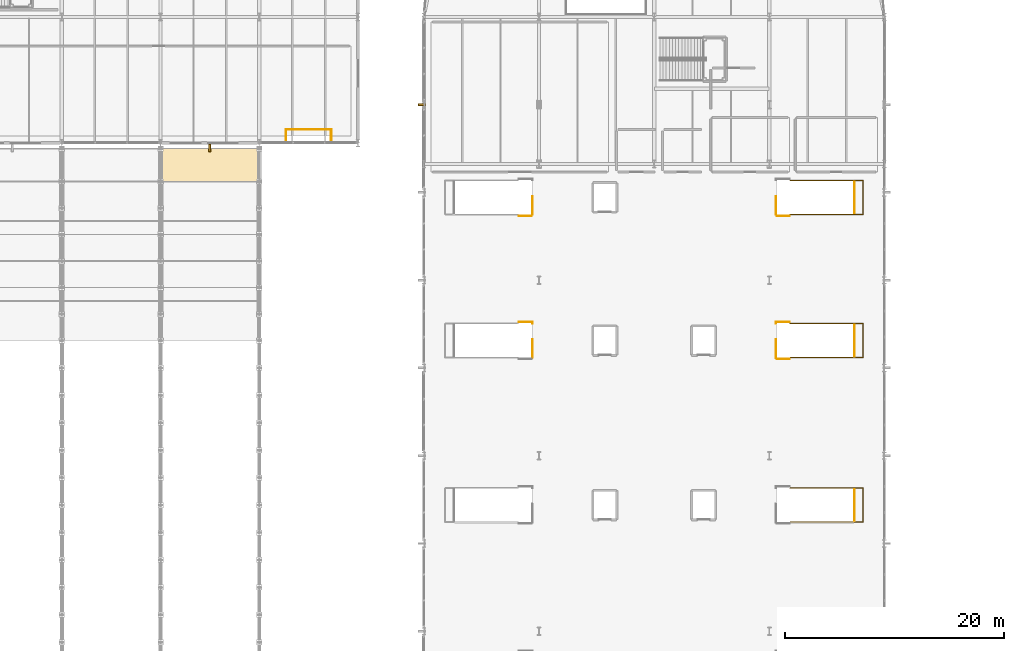
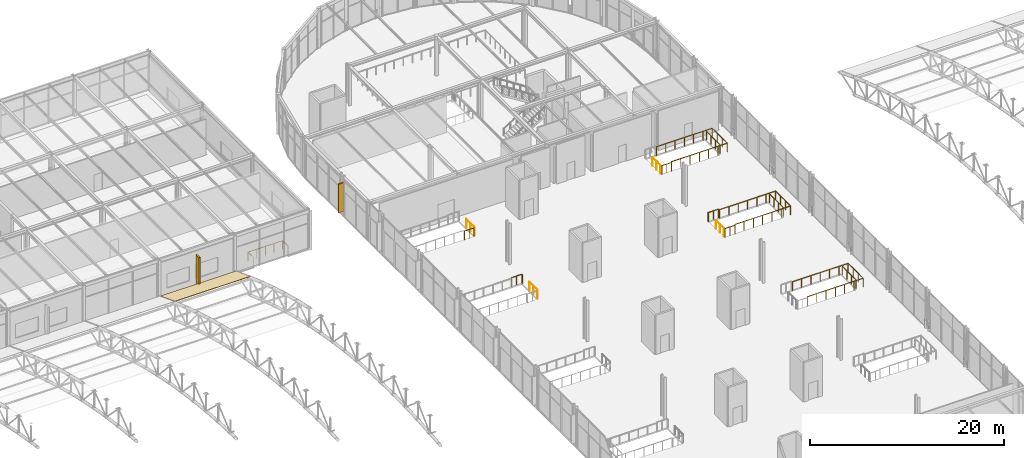
# One storey, part 179 of 195: 16 railings, 2 shading devices, 1 covering.
"""IFC4 building model written with IfcOpenShell, lengths in metres."""

from ifc_helpers import new_model, si_unit, direction, frame, origin, origin_2d, place, context, subcontext, project, spatial, polyline, rectangle, circle, outline, extrude, material, layer, layer_set, type_object, element, save


model = new_model("IFC4")

# Units and contexts
model_context = context("Model", 3, precision=1e-05, world=origin(), true_north=direction((0.0, 1.0)))
body_context = subcontext(model_context, "Body", "Model", "MODEL_VIEW")
ifc_project = project(units=[si_unit("LENGTHUNIT", "METRE"), si_unit("AREAUNIT", "SQUARE_METRE"), si_unit("VOLUMEUNIT", "CUBIC_METRE"), si_unit("PLANEANGLEUNIT", "RADIAN"), si_unit("MASSUNIT", "GRAM", prefix="KILO")], contexts=[model_context])

# Site, building, storey
site_placement = place(None, origin())
site = spatial("IfcSite", under=ifc_project, at=site_placement, CompositionType="ELEMENT")
building_placement = place(site_placement, origin())
building = spatial("IfcBuilding", under=site, at=building_placement, Name="Marlcrest Central Station", CompositionType="ELEMENT")
storey_placement = place(building_placement, frame((0.0, 0.0, 9.800048828125)))
storey = spatial("IfcBuildingStorey", under=building, at=storey_placement, Name="L02", CompositionType="ELEMENT", Elevation=9.800048828125)

# Covering
ifc_material_1 = material(Name="Standing-seam marine-coated aluminium roofing", Category="aluminium")
ifc_layer = layer(ifc_material_1, 0.06494140625, Name="CV-RF2")
ifc_layer_set = layer_set([ifc_layer], Name="Standing-seam marine-coated aluminium roofing")
covering_type = type_object("IfcCoveringType", Name="CV-RF2", PredefinedType="ROOFING", material=ifc_layer_set)
covering_placement = place(storey_placement, frame((63.0, 95.5, 1.800048828125), z_axis=(0.0, 0.359101225901, 0.933298617569), x_axis=(1.0, 0.0, 0.0)))
element("IfcCovering", 1, at=covering_placement, inside=storey, type_object=covering_type, Name="cov-shed-0116", PredefinedType="ROOFING", context=body_context, shape_type="SweptSolid", body=[
    extrude(outline(polyline([(0.0, 0.0), (9.0, 0.0), (9.0, 3.2144052755735024), (0.0, 3.2144052755735024), (0.0, 0.0)])), origin(), (0.0, 0.0, -1.0), 0.06494140625),
])

# Railings
ifc_material_2 = material(Name="Stainless steel and laminated glass concourse balustrade", Category="steel")
railing_type = type_object("IfcRailingType", Name="GR-02", PredefinedType="BALUSTRADE", material=ifc_material_2)
railing_1_placement = place(storey_placement, frame((120.39990234375, 64.449951171875, 0.0)))
element("IfcRailing", 2, at=railing_1_placement, inside=storey, type_object=railing_type, Name="grd-L02-0013", PredefinedType="BALUSTRADE", context=body_context, shape_type="SweptSolid", body=[
    extrude(circle(Radius=0.02392578125, at=origin_2d()), frame((0.0, 0.0, 1.09619140625), z_axis=(1.0, 0.0, 0.0), x_axis=(0.0, 1.0, 0.0)), (0.0, 0.0, 1.0), 6.650146484375),
    extrude(circle(Radius=0.02392578125, at=origin_2d()), frame((6.650146484375, 0.0, 1.09619140625), z_axis=(0.0, 1.0, 0.0), x_axis=(-1.0, 0.0, 0.0)), (0.0, 0.0, 1.0), 3.10009765625),
    extrude(circle(Radius=0.02392578125, at=origin_2d()), frame((6.650146484375, 3.10009765625, 1.09619140625), z_axis=(-1.0, 0.0, 0.0), x_axis=(0.0, -1.0, 0.0)), (0.0, 0.0, 1.0), 6.650146484375),
    extrude(circle(Radius=0.02099609375, at=origin_2d()), origin(), (0.0, 0.0, 1.0), 1.072021484375),
    extrude(circle(Radius=0.02099609375, at=origin_2d()), frame((1.1083984375, 0.0, 0.0)), (0.0, 0.0, 1.0), 1.072021484375),
    extrude(circle(Radius=0.02099609375, at=origin_2d()), frame((2.216796875, 0.0, 0.0)), (0.0, 0.0, 1.0), 1.072021484375),
    extrude(circle(Radius=0.02099609375, at=origin_2d()), frame((3.3251953125, 0.0, 0.0)), (0.0, 0.0, 1.0), 1.072021484375),
    extrude(circle(Radius=0.02099609375, at=origin_2d()), frame((4.433349609375, 0.0, 0.0)), (0.0, 0.0, 1.0), 1.072021484375),
    extrude(circle(Radius=0.02099609375, at=origin_2d()), frame((5.541748046875, 0.0, 0.0)), (0.0, 0.0, 1.0), 1.072021484375),
    extrude(circle(Radius=0.02099609375, at=origin_2d()), frame((6.650146484375, 0.0, 0.0)), (0.0, 0.0, 1.0), 1.072021484375),
    extrude(circle(Radius=0.02099609375, at=origin_2d()), frame((6.650146484375, 1.033447265625, 0.0)), (0.0, 0.0, 1.0), 1.072021484375),
    extrude(circle(Radius=0.02099609375, at=origin_2d()), frame((6.650146484375, 2.066650390625, 0.0)), (0.0, 0.0, 1.0), 1.072021484375),
    extrude(circle(Radius=0.02099609375, at=origin_2d()), frame((6.650146484375, 3.10009765625, 0.0)), (0.0, 0.0, 1.0), 1.072021484375),
    extrude(circle(Radius=0.02099609375, at=origin_2d()), frame((5.541748046875, 3.10009765625, 0.0)), (0.0, 0.0, 1.0), 1.072021484375),
    extrude(circle(Radius=0.02099609375, at=origin_2d()), frame((4.433349609375, 3.10009765625, 0.0)), (0.0, 0.0, 1.0), 1.072021484375),
    extrude(circle(Radius=0.02099609375, at=origin_2d()), frame((3.3251953125, 3.10009765625, 0.0)), (0.0, 0.0, 1.0), 1.072021484375),
    extrude(circle(Radius=0.02099609375, at=origin_2d()), frame((2.216796875, 3.10009765625, 0.0)), (0.0, 0.0, 1.0), 1.072021484375),
    extrude(circle(Radius=0.02099609375, at=origin_2d()), frame((1.1083984375, 3.10009765625, 0.0)), (0.0, 0.0, 1.0), 1.072021484375),
    extrude(circle(Radius=0.02099609375, at=origin_2d()), frame((0.0, 3.10009765625, 0.0)), (0.0, 0.0, 1.0), 1.072021484375),
])
railing_2_placement = place(storey_placement, frame((120.39990234375, 79.449951171875, 0.0)))
element("IfcRailing", 3, at=railing_2_placement, inside=storey, type_object=railing_type, Name="grd-L02-0015", PredefinedType="BALUSTRADE", context=body_context, shape_type="SweptSolid", body=[
    extrude(circle(Radius=0.02392578125, at=origin_2d()), frame((0.0, 0.0, 1.09619140625), z_axis=(1.0, 0.0, 0.0), x_axis=(0.0, 1.0, 0.0)), (0.0, 0.0, 1.0), 6.650146484375),
    extrude(circle(Radius=0.02392578125, at=origin_2d()), frame((6.650146484375, 0.0, 1.09619140625), z_axis=(0.0, 1.0, 0.0), x_axis=(-1.0, 0.0, 0.0)), (0.0, 0.0, 1.0), 3.10009765625),
    extrude(circle(Radius=0.02392578125, at=origin_2d()), frame((6.650146484375, 3.10009765625, 1.09619140625), z_axis=(-1.0, 0.0, 0.0), x_axis=(0.0, -1.0, 0.0)), (0.0, 0.0, 1.0), 6.650146484375),
    extrude(circle(Radius=0.02099609375, at=origin_2d()), origin(), (0.0, 0.0, 1.0), 1.072021484375),
    extrude(circle(Radius=0.02099609375, at=origin_2d()), frame((1.1083984375, 0.0, 0.0)), (0.0, 0.0, 1.0), 1.072021484375),
    extrude(circle(Radius=0.02099609375, at=origin_2d()), frame((2.216796875, 0.0, 0.0)), (0.0, 0.0, 1.0), 1.072021484375),
    extrude(circle(Radius=0.02099609375, at=origin_2d()), frame((3.3251953125, 0.0, 0.0)), (0.0, 0.0, 1.0), 1.072021484375),
    extrude(circle(Radius=0.02099609375, at=origin_2d()), frame((4.433349609375, 0.0, 0.0)), (0.0, 0.0, 1.0), 1.072021484375),
    extrude(circle(Radius=0.02099609375, at=origin_2d()), frame((5.541748046875, 0.0, 0.0)), (0.0, 0.0, 1.0), 1.072021484375),
    extrude(circle(Radius=0.02099609375, at=origin_2d()), frame((6.650146484375, 0.0, 0.0)), (0.0, 0.0, 1.0), 1.072021484375),
    extrude(circle(Radius=0.02099609375, at=origin_2d()), frame((6.650146484375, 1.033447265625, 0.0)), (0.0, 0.0, 1.0), 1.072021484375),
    extrude(circle(Radius=0.02099609375, at=origin_2d()), frame((6.650146484375, 2.066650390625, 0.0)), (0.0, 0.0, 1.0), 1.072021484375),
    extrude(circle(Radius=0.02099609375, at=origin_2d()), frame((6.650146484375, 3.10009765625, 0.0)), (0.0, 0.0, 1.0), 1.072021484375),
    extrude(circle(Radius=0.02099609375, at=origin_2d()), frame((5.541748046875, 3.10009765625, 0.0)), (0.0, 0.0, 1.0), 1.072021484375),
    extrude(circle(Radius=0.02099609375, at=origin_2d()), frame((4.433349609375, 3.10009765625, 0.0)), (0.0, 0.0, 1.0), 1.072021484375),
    extrude(circle(Radius=0.02099609375, at=origin_2d()), frame((3.3251953125, 3.10009765625, 0.0)), (0.0, 0.0, 1.0), 1.072021484375),
    extrude(circle(Radius=0.02099609375, at=origin_2d()), frame((2.216796875, 3.10009765625, 0.0)), (0.0, 0.0, 1.0), 1.072021484375),
    extrude(circle(Radius=0.02099609375, at=origin_2d()), frame((1.1083984375, 3.10009765625, 0.0)), (0.0, 0.0, 1.0), 1.072021484375),
    extrude(circle(Radius=0.02099609375, at=origin_2d()), frame((0.0, 3.10009765625, 0.0)), (0.0, 0.0, 1.0), 1.072021484375),
])
railing_3_placement = place(storey_placement, frame((120.39990234375, 92.5, 0.0)))
element("IfcRailing", 4, at=railing_3_placement, inside=storey, type_object=railing_type, Name="grd-L02-0017", PredefinedType="BALUSTRADE", context=body_context, shape_type="SweptSolid", body=[
    extrude(circle(Radius=0.02392578125, at=origin_2d()), frame((0.0, 0.0, 1.09619140625), z_axis=(1.0, 0.0, 0.0), x_axis=(0.0, 1.0, 0.0)), (0.0, 0.0, 1.0), 6.650146484375),
    extrude(circle(Radius=0.02392578125, at=origin_2d()), frame((6.650146484375, 0.0, 1.09619140625), z_axis=(0.0, 1.0, 0.0), x_axis=(-1.0, 0.0, 0.0)), (0.0, 0.0, 1.0), 3.10009765625),
    extrude(circle(Radius=0.02392578125, at=origin_2d()), frame((6.650146484375, 3.10009765625, 1.09619140625), z_axis=(-1.0, 0.0, 0.0), x_axis=(0.0, -1.0, 0.0)), (0.0, 0.0, 1.0), 6.650146484375),
    extrude(circle(Radius=0.02099609375, at=origin_2d()), origin(), (0.0, 0.0, 1.0), 1.072021484375),
    extrude(circle(Radius=0.02099609375, at=origin_2d()), frame((1.1083984375, 0.0, 0.0)), (0.0, 0.0, 1.0), 1.072021484375),
    extrude(circle(Radius=0.02099609375, at=origin_2d()), frame((2.216796875, 0.0, 0.0)), (0.0, 0.0, 1.0), 1.072021484375),
    extrude(circle(Radius=0.02099609375, at=origin_2d()), frame((3.3251953125, 0.0, 0.0)), (0.0, 0.0, 1.0), 1.072021484375),
    extrude(circle(Radius=0.02099609375, at=origin_2d()), frame((4.433349609375, 0.0, 0.0)), (0.0, 0.0, 1.0), 1.072021484375),
    extrude(circle(Radius=0.02099609375, at=origin_2d()), frame((5.541748046875, 0.0, 0.0)), (0.0, 0.0, 1.0), 1.072021484375),
    extrude(circle(Radius=0.02099609375, at=origin_2d()), frame((6.650146484375, 0.0, 0.0)), (0.0, 0.0, 1.0), 1.072021484375),
    extrude(circle(Radius=0.02099609375, at=origin_2d()), frame((6.650146484375, 1.033447265625, 0.0)), (0.0, 0.0, 1.0), 1.072021484375),
    extrude(circle(Radius=0.02099609375, at=origin_2d()), frame((6.650146484375, 2.066650390625, 0.0)), (0.0, 0.0, 1.0), 1.072021484375),
    extrude(circle(Radius=0.02099609375, at=origin_2d()), frame((6.650146484375, 3.10009765625, 0.0)), (0.0, 0.0, 1.0), 1.072021484375),
    extrude(circle(Radius=0.02099609375, at=origin_2d()), frame((5.541748046875, 3.10009765625, 0.0)), (0.0, 0.0, 1.0), 1.072021484375),
    extrude(circle(Radius=0.02099609375, at=origin_2d()), frame((4.433349609375, 3.10009765625, 0.0)), (0.0, 0.0, 1.0), 1.072021484375),
    extrude(circle(Radius=0.02099609375, at=origin_2d()), frame((3.3251953125, 3.10009765625, 0.0)), (0.0, 0.0, 1.0), 1.072021484375),
    extrude(circle(Radius=0.02099609375, at=origin_2d()), frame((2.216796875, 3.10009765625, 0.0)), (0.0, 0.0, 1.0), 1.072021484375),
    extrude(circle(Radius=0.02099609375, at=origin_2d()), frame((1.1083984375, 3.10009765625, 0.0)), (0.0, 0.0, 1.0), 1.072021484375),
    extrude(circle(Radius=0.02099609375, at=origin_2d()), frame((0.0, 3.10009765625, 0.0)), (0.0, 0.0, 1.0), 1.072021484375),
])
for number, where, name in (
    (5, (96.89990234375, 79.429931640625, 0.0), "hr-L02-00119"),
    (6, (119.10009765625, 79.429931640625, 0.0), "hr-L02-00136"),
):
    element("IfcRailing", number, at=place(storey_placement, frame(where)), inside=storey, type_object=railing_type, Name=name, PredefinedType="BALUSTRADE", context=body_context, shape_type="SweptSolid", body=[
        extrude(circle(Radius=0.02392578125, at=origin_2d()), frame((0.0, 0.0, 1.09619140625), z_axis=(0.0, 1.0, 0.0), x_axis=(-1.0, 0.0, 0.0)), (0.0, 0.0, 1.0), 1.650146484375),
        extrude(circle(Radius=0.02099609375, at=origin_2d()), origin(), (0.0, 0.0, 1.0), 1.072021484375),
        extrude(circle(Radius=0.02099609375, at=origin_2d()), frame((0.0, 0.8251953125, 0.0)), (0.0, 0.0, 1.0), 1.072021484375),
        extrude(circle(Radius=0.02099609375, at=origin_2d()), frame((0.0, 1.650146484375, 0.0)), (0.0, 0.0, 1.0), 1.072021484375),
    ])
for number, where, name in (
    (7, (96.89990234375, 92.47998046875, 0.0), "hr-L02-00153"),
    (8, (119.10009765625, 92.47998046875, 0.0), "hr-L02-00170"),
):
    element("IfcRailing", number, at=place(storey_placement, frame(where)), inside=storey, type_object=railing_type, Name=name, PredefinedType="BALUSTRADE", context=body_context, shape_type="SweptSolid", body=[
        extrude(circle(Radius=0.02392578125, at=origin_2d()), frame((0.0, 0.0, 1.09619140625), z_axis=(0.0, 1.0, 0.0), x_axis=(-1.0, 0.0, 0.0)), (0.0, 0.0, 1.0), 1.64990234375),
        extrude(circle(Radius=0.02099609375, at=origin_2d()), origin(), (0.0, 0.0, 1.0), 1.072021484375),
        extrude(circle(Radius=0.02099609375, at=origin_2d()), frame((0.0, 0.824951171875, 0.0)), (0.0, 0.0, 1.0), 1.072021484375),
        extrude(circle(Radius=0.02099609375, at=origin_2d()), frame((0.0, 1.64990234375, 0.0)), (0.0, 0.0, 1.0), 1.072021484375),
    ])
railing_4_placement = place(storey_placement, frame((78.56005859375, 99.18994140625, 0.0)))
element("IfcRailing", 9, at=railing_4_placement, inside=storey, type_object=railing_type, Name="hr-L02-00317", PredefinedType="BALUSTRADE", context=body_context, shape_type="SweptSolid", body=[
    extrude(circle(Radius=0.02392578125, at=origin_2d()), frame((0.0, 0.0, 1.09619140625), z_axis=(0.0, 1.0, 0.0), x_axis=(-1.0, 0.0, 0.0)), (0.0, 0.0, 1.0), 1.070068359375),
    extrude(circle(Radius=0.02392578125, at=origin_2d()), frame((0.0, 1.070068359375, 1.09619140625), z_axis=(-1.0, 0.0, 0.0), x_axis=(0.0, -1.0, 0.0)), (0.0, 0.0, 1.0), 4.1201171875),
    extrude(circle(Radius=0.02392578125, at=origin_2d()), frame((-4.1201171875, 1.070068359375, 1.09619140625), z_axis=(0.0, -1.0, 0.0), x_axis=(1.0, 0.0, 0.0)), (0.0, 0.0, 1.0), 1.070068359375),
    extrude(circle(Radius=0.02099609375, at=origin_2d()), origin(), (0.0, 0.0, 1.0), 1.072021484375),
    extrude(circle(Radius=0.02099609375, at=origin_2d()), frame((0.0, 1.070068359375, 0.0)), (0.0, 0.0, 1.0), 1.072021484375),
    extrude(circle(Radius=0.02099609375, at=origin_2d()), frame((-1.030029296875, 1.070068359375, 0.0)), (0.0, 0.0, 1.0), 1.072021484375),
    extrude(circle(Radius=0.02099609375, at=origin_2d()), frame((-2.06005859375, 1.070068359375, 0.0)), (0.0, 0.0, 1.0), 1.072021484375),
    extrude(circle(Radius=0.02099609375, at=origin_2d()), frame((-3.090087890625, 1.070068359375, 0.0)), (0.0, 0.0, 1.0), 1.072021484375),
    extrude(circle(Radius=0.02099609375, at=origin_2d()), frame((-4.1201171875, 1.070068359375, 0.0)), (0.0, 0.0, 1.0), 1.072021484375),
    extrude(circle(Radius=0.02099609375, at=origin_2d()), frame((-4.1201171875, 0.0, 0.0)), (0.0, 0.0, 1.0), 1.072021484375),
])
railing_5_placement = place(storey_placement, frame((119.18603515625, 92.3701171875, 0.0)))
element("IfcRailing", 10, at=railing_5_placement, inside=storey, type_object=railing_type, Name="hr-L02-00528", PredefinedType="BALUSTRADE", context=body_context, shape_type="SweptSolid", body=[
    extrude(circle(Radius=0.02392578125, at=origin_2d()), frame((0.0, 0.0, 1.09619140625), z_axis=(1.0, 0.0, 0.0), x_axis=(0.0, 1.0, 0.0)), (0.0, 0.0, 1.0), 1.161865234375),
    extrude(circle(Radius=0.02099609375, at=origin_2d()), origin(), (0.0, 0.0, 1.0), 1.072021484375),
    extrude(circle(Radius=0.02099609375, at=origin_2d()), frame((0.5810546875, 0.0, 0.0)), (0.0, 0.0, 1.0), 1.072021484375),
    extrude(circle(Radius=0.02099609375, at=origin_2d()), frame((1.161865234375, 0.0, 0.0)), (0.0, 0.0, 1.0), 1.072021484375),
])
railing_6_placement = place(storey_placement, frame((126.260009765625, 92.639892578125, 0.0)))
element("IfcRailing", 11, at=railing_6_placement, inside=storey, type_object=railing_type, Name="hr-L02-00529", PredefinedType="BALUSTRADE", context=body_context, shape_type="SweptSolid", body=[
    extrude(circle(Radius=0.02392578125, at=origin_2d()), frame((0.0, 0.0, 1.09619140625), z_axis=(0.0, 1.0, 0.0), x_axis=(-1.0, 0.0, 0.0)), (0.0, 0.0, 1.0), 2.820068359375),
    extrude(circle(Radius=0.02099609375, at=origin_2d()), origin(), (0.0, 0.0, 1.0), 1.072021484375),
    extrude(circle(Radius=0.02099609375, at=origin_2d()), frame((0.0, 0.93994140625, 0.0)), (0.0, 0.0, 1.0), 1.072021484375),
    extrude(circle(Radius=0.02099609375, at=origin_2d()), frame((0.0, 1.880126953125, 0.0)), (0.0, 0.0, 1.0), 1.072021484375),
    extrude(circle(Radius=0.02099609375, at=origin_2d()), frame((0.0, 2.820068359375, 0.0)), (0.0, 0.0, 1.0), 1.072021484375),
])
railing_7_placement = place(storey_placement, frame((119.18603515625, 79.320068359375, 0.0)))
element("IfcRailing", 12, at=railing_7_placement, inside=storey, type_object=railing_type, Name="hr-L02-00531", PredefinedType="BALUSTRADE", context=body_context, shape_type="SweptSolid", body=[
    extrude(circle(Radius=0.02392578125, at=origin_2d()), frame((0.0, 0.0, 1.09619140625), z_axis=(1.0, 0.0, 0.0), x_axis=(0.0, 1.0, 0.0)), (0.0, 0.0, 1.0), 1.161865234375),
    extrude(circle(Radius=0.02099609375, at=origin_2d()), origin(), (0.0, 0.0, 1.0), 1.072021484375),
    extrude(circle(Radius=0.02099609375, at=origin_2d()), frame((0.5810546875, 0.0, 0.0)), (0.0, 0.0, 1.0), 1.072021484375),
    extrude(circle(Radius=0.02099609375, at=origin_2d()), frame((1.161865234375, 0.0, 0.0)), (0.0, 0.0, 1.0), 1.072021484375),
])
railing_8_placement = place(storey_placement, frame((126.260009765625, 79.590087890625, 0.0)))
element("IfcRailing", 13, at=railing_8_placement, inside=storey, type_object=railing_type, Name="hr-L02-00532", PredefinedType="BALUSTRADE", context=body_context, shape_type="SweptSolid", body=[
    extrude(circle(Radius=0.02392578125, at=origin_2d()), frame((0.0, 0.0, 1.09619140625), z_axis=(0.0, 1.0, 0.0), x_axis=(-1.0, 0.0, 0.0)), (0.0, 0.0, 1.0), 2.81982421875),
    extrude(circle(Radius=0.02099609375, at=origin_2d()), origin(), (0.0, 0.0, 1.0), 1.072021484375),
    extrude(circle(Radius=0.02099609375, at=origin_2d()), frame((0.0, 0.93994140625, 0.0)), (0.0, 0.0, 1.0), 1.072021484375),
    extrude(circle(Radius=0.02099609375, at=origin_2d()), frame((0.0, 1.8798828125, 0.0)), (0.0, 0.0, 1.0), 1.072021484375),
    extrude(circle(Radius=0.02099609375, at=origin_2d()), frame((0.0, 2.81982421875, 0.0)), (0.0, 0.0, 1.0), 1.072021484375),
])
railing_9_placement = place(storey_placement, frame((120.347900390625, 82.679931640625, 0.0)))
element("IfcRailing", 14, at=railing_9_placement, inside=storey, type_object=railing_type, Name="hr-L02-00533", PredefinedType="BALUSTRADE", context=body_context, shape_type="SweptSolid", body=[
    extrude(circle(Radius=0.02392578125, at=origin_2d()), frame((0.0, 0.0, 1.09619140625), z_axis=(-1.0, 0.0, 0.0), x_axis=(0.0, -1.0, 0.0)), (0.0, 0.0, 1.0), 1.2578125),
    extrude(circle(Radius=0.02392578125, at=origin_2d()), frame((-1.2578125, 0.0, 1.09619140625), z_axis=(0.0, -1.0, 0.0), x_axis=(1.0, 0.0, 0.0)), (0.0, 0.0, 1.0), 0.10986328125),
    extrude(circle(Radius=0.02099609375, at=origin_2d()), origin(), (0.0, 0.0, 1.0), 1.072021484375),
    extrude(circle(Radius=0.02099609375, at=origin_2d()), frame((-0.62890625, 0.0, 0.0)), (0.0, 0.0, 1.0), 1.072021484375),
    extrude(circle(Radius=0.02099609375, at=origin_2d()), frame((-1.2578125, 0.0, 0.0)), (0.0, 0.0, 1.0), 1.072021484375),
    extrude(circle(Radius=0.02099609375, at=origin_2d()), frame((-1.2578125, -0.10986328125, 0.0)), (0.0, 0.0, 1.0), 1.072021484375),
])
railing_10_placement = place(storey_placement, frame((126.260009765625, 64.590087890625, 0.0)))
element("IfcRailing", 15, at=railing_10_placement, inside=storey, type_object=railing_type, Name="hr-L02-00535", PredefinedType="BALUSTRADE", context=body_context, shape_type="SweptSolid", body=[
    extrude(circle(Radius=0.02392578125, at=origin_2d()), frame((0.0, 0.0, 1.09619140625), z_axis=(0.0, 1.0, 0.0), x_axis=(-1.0, 0.0, 0.0)), (0.0, 0.0, 1.0), 2.81982421875),
    extrude(circle(Radius=0.02099609375, at=origin_2d()), origin(), (0.0, 0.0, 1.0), 1.072021484375),
    extrude(circle(Radius=0.02099609375, at=origin_2d()), frame((0.0, 0.93994140625, 0.0)), (0.0, 0.0, 1.0), 1.072021484375),
    extrude(circle(Radius=0.02099609375, at=origin_2d()), frame((0.0, 1.8798828125, 0.0)), (0.0, 0.0, 1.0), 1.072021484375),
    extrude(circle(Radius=0.02099609375, at=origin_2d()), frame((0.0, 2.81982421875, 0.0)), (0.0, 0.0, 1.0), 1.072021484375),
])
railing_11_placement = place(storey_placement, frame((95.652099609375, 92.3701171875, 0.0)))
element("IfcRailing", 16, at=railing_11_placement, inside=storey, type_object=railing_type, Name="hr-L02-00550", PredefinedType="BALUSTRADE", context=body_context, shape_type="SweptSolid", body=[
    extrude(circle(Radius=0.02392578125, at=origin_2d()), frame((0.0, 0.0, 1.09619140625), z_axis=(1.0, 0.0, 0.0), x_axis=(0.0, 1.0, 0.0)), (0.0, 0.0, 1.0), 1.161865234375),
    extrude(circle(Radius=0.02099609375, at=origin_2d()), origin(), (0.0, 0.0, 1.0), 1.072021484375),
    extrude(circle(Radius=0.02099609375, at=origin_2d()), frame((0.5810546875, 0.0, 0.0)), (0.0, 0.0, 1.0), 1.072021484375),
    extrude(circle(Radius=0.02099609375, at=origin_2d()), frame((1.161865234375, 0.0, 0.0)), (0.0, 0.0, 1.0), 1.072021484375),
])
railing_12_placement = place(storey_placement, frame((96.909912109375, 82.570068359375, 0.0)))
element("IfcRailing", 17, at=railing_12_placement, inside=storey, type_object=railing_type, Name="hr-L02-00554", PredefinedType="BALUSTRADE", context=body_context, shape_type="SweptSolid", body=[
    extrude(circle(Radius=0.02392578125, at=origin_2d()), frame((0.0, 0.0, 1.09619140625), z_axis=(0.0, 1.0, 0.0), x_axis=(-1.0, 0.0, 0.0)), (0.0, 0.0, 1.0), 0.10986328125),
    extrude(circle(Radius=0.02392578125, at=origin_2d()), frame((0.0, 0.10986328125, 1.09619140625), z_axis=(-1.0, 0.0, 0.0), x_axis=(0.0, -1.0, 0.0)), (0.0, 0.0, 1.0), 1.2578125),
    extrude(circle(Radius=0.02099609375, at=origin_2d()), origin(), (0.0, 0.0, 1.0), 1.072021484375),
    extrude(circle(Radius=0.02099609375, at=origin_2d()), frame((0.0, 0.10986328125, 0.0)), (0.0, 0.0, 1.0), 1.072021484375),
    extrude(circle(Radius=0.02099609375, at=origin_2d()), frame((-0.62890625, 0.10986328125, 0.0)), (0.0, 0.0, 1.0), 1.072021484375),
    extrude(circle(Radius=0.02099609375, at=origin_2d()), frame((-1.2578125, 0.10986328125, 0.0)), (0.0, 0.0, 1.0), 1.072021484375),
])

# Shading devices
ifc_material_3 = material(Name="Precast concrete C40/50", Category="concrete")
shading_device_type = type_object("IfcShadingDeviceType", Name="SD-BS1", PredefinedType="USERDEFINED", material=ifc_material_3)
for number, where, z_axis, x_axis, name in (
    (18, (86.800048828125, 102.5, 0.5), (0.0, 0.0, 1.0), (0.0, 1.0, 0.0), "shd-L02-0021"),
    (19, (67.5, 98.550048828125, 0.474853515625), (0.0, 0.0, 1.0), (1.0, 0.0, 0.0), "shd-L02-0046"),
):
    element("IfcShadingDevice", number, at=place(storey_placement, frame(where, z_axis=z_axis, x_axis=x_axis)), inside=storey, type_object=shading_device_type, Name=name, ObjectType="BRISE_SOLEIL", PredefinedType="USERDEFINED", context=body_context, shape_type="SweptSolid", body=[
        extrude(rectangle(XDim=0.179931640625, YDim=0.64990234375, at=origin_2d()), origin(), (0.0, 0.0, 1.0), 3.60009765625),
    ])

save(model, "model.ifc")
